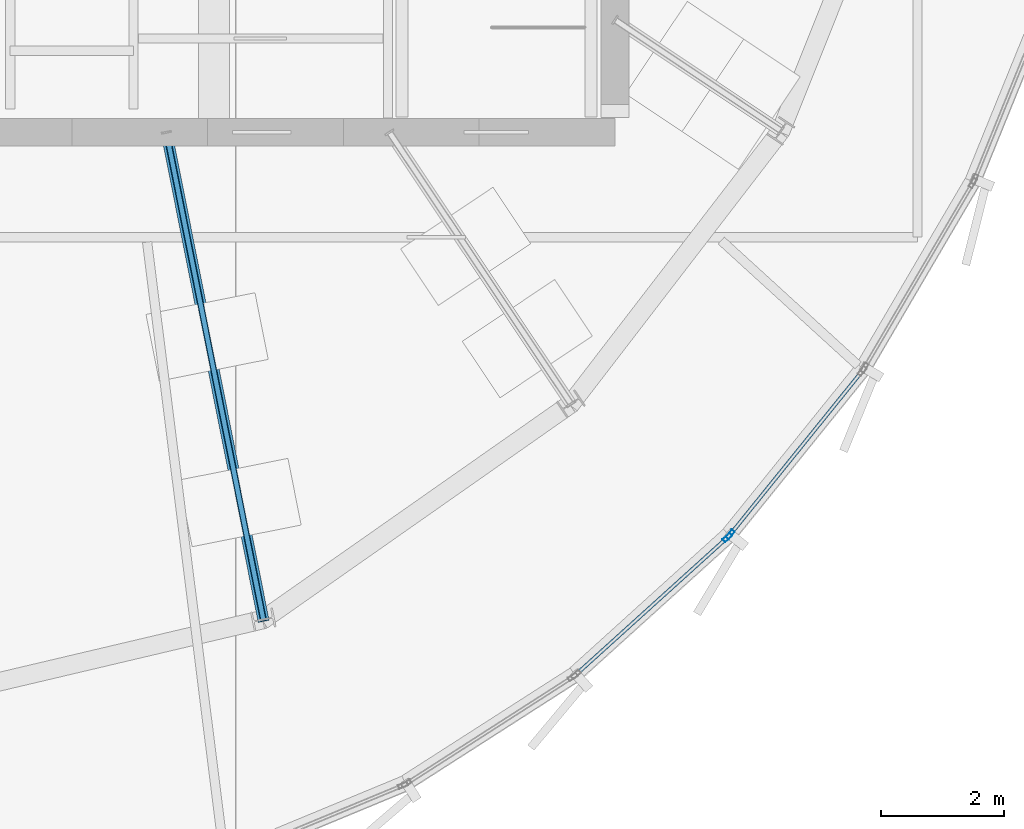
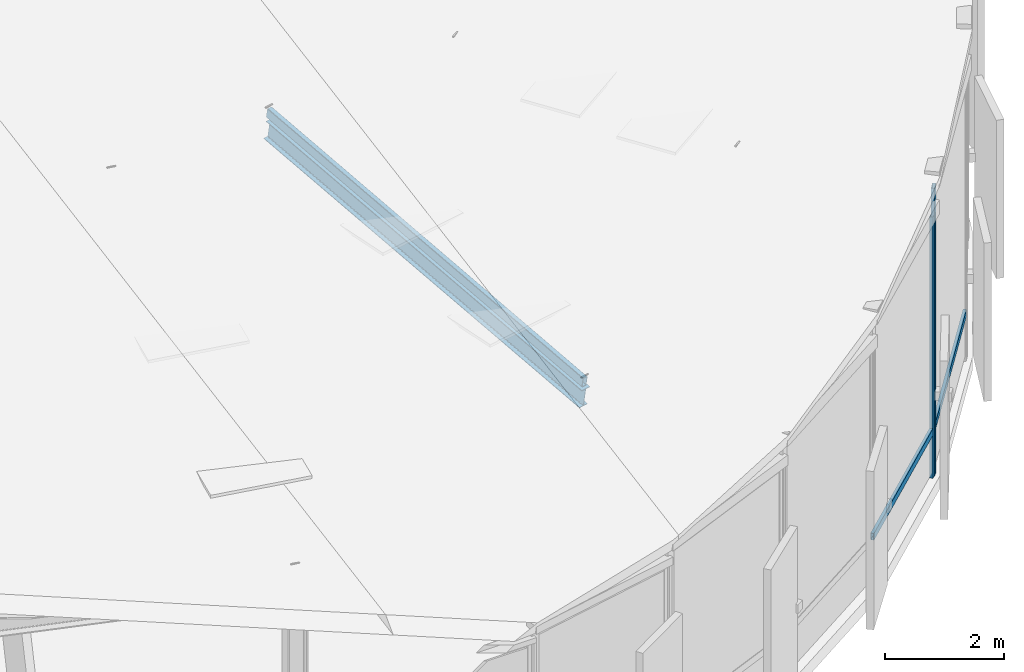
# One storey, part 7 of 36: 5 members, 1 beam, 2 elements without a shape of their own.
"""IFC4 building model written with IfcOpenShell, lengths in metres."""

from ifc_helpers import new_model, si_unit, direction, frame, origin, origin_2d, place, context, subcontext, project, spatial, hollow_rectangle, i_section, extrude, source, transform, mapped, material, layer, layer_set, material_profile, profile_set, type_object, element, aggregate, save


model = new_model("IFC4")

# Units and contexts
model_context = context("Model", 3, precision=1e-05, world=origin(), true_north=direction((0.0, 1.0)))
body_context = subcontext(model_context, "Body", "Model", "MODEL_VIEW")
ifc_project = project(units=[si_unit("LENGTHUNIT", "METRE"), si_unit("AREAUNIT", "SQUARE_METRE"), si_unit("VOLUMEUNIT", "CUBIC_METRE"), si_unit("PLANEANGLEUNIT", "RADIAN"), si_unit("MASSUNIT", "GRAM", prefix="KILO"), si_unit("THERMODYNAMICTEMPERATUREUNIT", "KELVIN")], contexts=[model_context])

# Site, building, storey
site_placement = place(None, origin())
site = spatial("IfcSite", under=ifc_project, at=site_placement, CompositionType="ELEMENT")
building_placement = place(site_placement, origin())
building = spatial("IfcBuilding", under=site, at=building_placement, Name="Kethvar Cultural Tower", CompositionType="ELEMENT")
storey_placement = place(building_placement, frame((0.0, 0.0, 324.300048828125)))
storey = spatial("IfcBuildingStorey", under=building, at=storey_placement, Name="L86", CompositionType="ELEMENT", Elevation=324.300048828125)

# Beam
ifc_material_1 = material(Name="Steel S355J2", Category="steel")
ifc_material_profile_1 = material_profile(ifc_material_1, i_section(OverallWidth=0.179931640625, OverallDepth=0.39990234375, WebThickness=0.008544921875, FlangeThickness=0.013427734375, FilletRadius=0.02099609375, at=origin_2d()), Name="Steel S355J2 — IPE400")
ifc_profile_set_1 = profile_set([ifc_material_profile_1], Name="Steel S355J2 — IPE400")
beam_type = type_object("IfcBeamType", Name="BM-IPE400", PredefinedType="BEAM", material=ifc_profile_set_1)
shared_shape_1 = source(origin(), body_context, "Body", "SweptSolid", [
    extrude(i_section(OverallWidth=0.179931640625, OverallDepth=0.39990234375, WebThickness=0.008544921875, FlangeThickness=0.013427734375, FilletRadius=0.02099609375, at=origin_2d()), origin(), (0.0, 0.0, 1.0), 8.15087890625),
])
beam_placement = place(storey_placement, frame((48.33154296875, 20.10009765625, 6.335205078125), z_axis=(0.192624750584, -0.968395399027, -0.158448908504), x_axis=(0.980785487912, 0.195089278796, 0.0)))
element("IfcBeam", 1, at=beam_placement, inside=storey, type_object=beam_type, Name="Crown Sloped Radial Rafter RB-13", PredefinedType="BEAM", context=body_context, shape_type="MappedRepresentation", body=[
    mapped(shared_shape_1, transform((0.0, 0.0, 0.0), scale=1.0)),
])

# Member
ifc_material_profile_2 = material_profile(ifc_material_1, hollow_rectangle(XDim=0.10009765625, YDim=0.199951171875, WallThickness=0.008056640625, InnerFilletRadius=0.008056640625, OuterFilletRadius=0.01611328125, at=origin_2d()), Name="Steel S355J2 — RHS200x100x8")
ifc_profile_set_2 = profile_set([ifc_material_profile_2], Name="Steel S355J2 — RHS200x100x8")
member_type_1 = type_object("IfcMemberType", Name="MB-GLAZ-200", PredefinedType="PURLIN", material=ifc_profile_set_2)
shared_shape_2 = source(origin(), body_context, "Body", "SweptSolid", [
    extrude(hollow_rectangle(XDim=0.10009765625, YDim=0.199951171875, WallThickness=0.008056640625, InnerFilletRadius=0.008056640625, OuterFilletRadius=0.01611328125, at=origin_2d()), origin(), (0.0, 0.0, 1.0), 8.152099609375),
])
member_1_placement = place(storey_placement, frame((48.33154296875, 20.10009765625, 6.662841796875), z_axis=(0.192596334047, -0.968252538654, -0.159353925278), x_axis=(0.980785487912, 0.195089278796, 0.0)))
element("IfcMember", 2, at=member_1_placement, inside=storey, type_object=member_type_1, Name="Sloped Crown Skylight Glazing Mullion Bar GB-13", PredefinedType="PURLIN", context=body_context, shape_type="MappedRepresentation", body=[
    mapped(shared_shape_2, transform((0.0, 0.0, 0.0), scale=1.0)),
])

# Curtain wall, member
ifc_material_2 = material(Name="Aluminium 6063-T6", Category="aluminium")
ifc_layer = layer(ifc_material_2, 0.179931640625, Name="Aluminium 6063-T6", Category="aluminium")
ifc_layer_set = layer_set([ifc_layer], Name="Aluminium 6063-T6 (180 mm)")
curtain_wall_type = type_object("IfcCurtainWallType", Name="CW-SYS-06-CROWN", PredefinedType="NOTDEFINED", material=ifc_layer_set)
curtain_wall_1_placement = place(storey_placement, origin())
curtain_wall_1 = element("IfcCurtainWall", 3, at=curtain_wall_1_placement, inside=storey, type_object=curtain_wall_type, Name="L86 Curtain Wall Run 25", PredefinedType="NOTDEFINED")
ifc_material_profile_3 = material_profile(ifc_material_2, hollow_rectangle(XDim=0.06494140625, YDim=0.159912109375, WallThickness=0.0048828125, at=origin_2d()), Name="Aluminium 6063-T6 — RHS160x65x5")
ifc_profile_set_3 = profile_set([ifc_material_profile_3], Name="Aluminium 6063-T6 — RHS160x65x5")
member_type_2 = type_object("IfcMemberType", Name="CW-SYS-06-CROWN-MUL", PredefinedType="MULLION", material=ifc_profile_set_3)
shared_shape_3 = source(origin(), body_context, "Body", "SweptSolid", [
    extrude(hollow_rectangle(XDim=0.06494140625, YDim=0.159912109375, WallThickness=0.0048828125, at=origin_2d()), origin(), (0.0, 0.0, 1.0), 5.903076171875),
])
member_2_placement = place(storey_placement, frame((57.466796875, 13.583251953125, 0.0), z_axis=(0.0, 0.0, 1.0), x_axis=(-0.778034865304, 0.628221098318, 0.0)))
member_2 = element("IfcMember", 4, at=member_2_placement, type_object=member_type_2, Name="CW-L86-R25 Mullion 1", PredefinedType="MULLION", context=body_context, shape_type="MappedRepresentation", body=[
    mapped(shared_shape_3, transform((0.0, 0.0, 0.0), scale=1.0)),
])

# Curtain wall, members
curtain_wall_2_placement = place(storey_placement, origin())
curtain_wall_2 = element("IfcCurtainWall", 5, at=curtain_wall_2_placement, inside=storey, type_object=curtain_wall_type, Name="L86 Curtain Wall Run 24", PredefinedType="NOTDEFINED")
shared_shape_4 = source(origin(), body_context, "Body", "SweptSolid", [
    extrude(hollow_rectangle(XDim=0.06494140625, YDim=0.159912109375, WallThickness=0.0048828125, at=origin_2d()), origin(), (0.0, 0.0, 1.0), 5.358642578125),
])
member_3_placement = place(storey_placement, frame((57.421875, 13.535400390625, 0.0), z_axis=(0.0, 0.0, 1.0), x_axis=(-0.670983276722, 0.741472482537, 0.0)))
member_3 = element("IfcMember", 6, at=member_3_placement, type_object=member_type_2, Name="CW-L86-R24 Mullion 2", PredefinedType="MULLION", context=body_context, shape_type="MappedRepresentation", body=[
    mapped(shared_shape_4, transform((0.0, 0.0, 0.0), scale=1.0)),
])
ifc_material_profile_4 = material_profile(ifc_material_2, hollow_rectangle(XDim=0.06005859375, YDim=0.139892578125, WallThickness=0.0048828125, at=origin_2d()), Name="Aluminium 6063-T6 — RHS140x60x5")
ifc_profile_set_4 = profile_set([ifc_material_profile_4], Name="Aluminium 6063-T6 — RHS140x60x5")
member_type_3 = type_object("IfcMemberType", Name="CW-SYS-06-CROWN-TRN", PredefinedType="USERDEFINED", material=ifc_profile_set_4)
shared_shape_5 = source(origin(), body_context, "Body", "SweptSolid", [
    extrude(hollow_rectangle(XDim=0.06005859375, YDim=0.139892578125, WallThickness=0.0048828125, at=origin_2d()), origin(), (0.0, 0.0, 1.0), 3.30029296875),
])
member_4_placement = place(storey_placement, frame((54.97119140625, 11.318115234375, 0.949951171875), z_axis=(0.741511243747, 0.67094044102, 0.0), x_axis=(-0.67094044102, 0.741511243747, 0.0)))
member_4 = element("IfcMember", 7, at=member_4_placement, type_object=member_type_3, Name="CW-L86-R24 Transom 1", ObjectType="TRANSOM", PredefinedType="USERDEFINED", context=body_context, shape_type="MappedRepresentation", body=[
    mapped(shared_shape_5, transform((0.0, 0.0, 0.0), scale=1.0)),
])
aggregate(curtain_wall_2, [member_3, member_4])

# Member
shared_shape_6 = source(origin(), body_context, "Body", "SweptSolid", [
    extrude(hollow_rectangle(XDim=0.06005859375, YDim=0.139892578125, WallThickness=0.0048828125, at=origin_2d()), origin(), (0.0, 0.0, 1.0), 3.39306640625),
])
member_5_placement = place(storey_placement, frame((57.469482421875, 13.586669921875, 0.949951171875), z_axis=(0.628224886788, 0.778031806304, 0.0), x_axis=(-0.778031806304, 0.628224886788, 0.0)))
member_5 = element("IfcMember", 8, at=member_5_placement, type_object=member_type_3, Name="CW-L86-R25 Transom 1", ObjectType="TRANSOM", PredefinedType="USERDEFINED", context=body_context, shape_type="MappedRepresentation", body=[
    mapped(shared_shape_6, transform((0.0, 0.0, 0.0), scale=1.0)),
])

aggregate(curtain_wall_1, [member_2, member_5])

save(model, "model.ifc")
